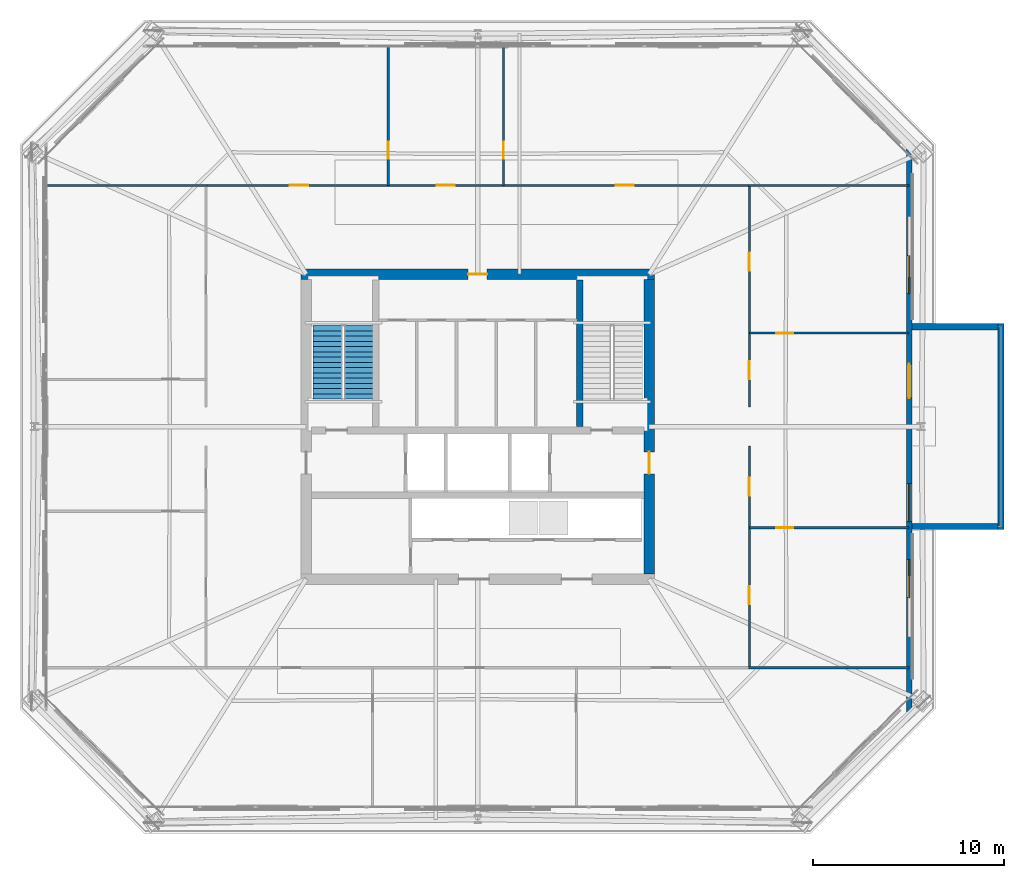
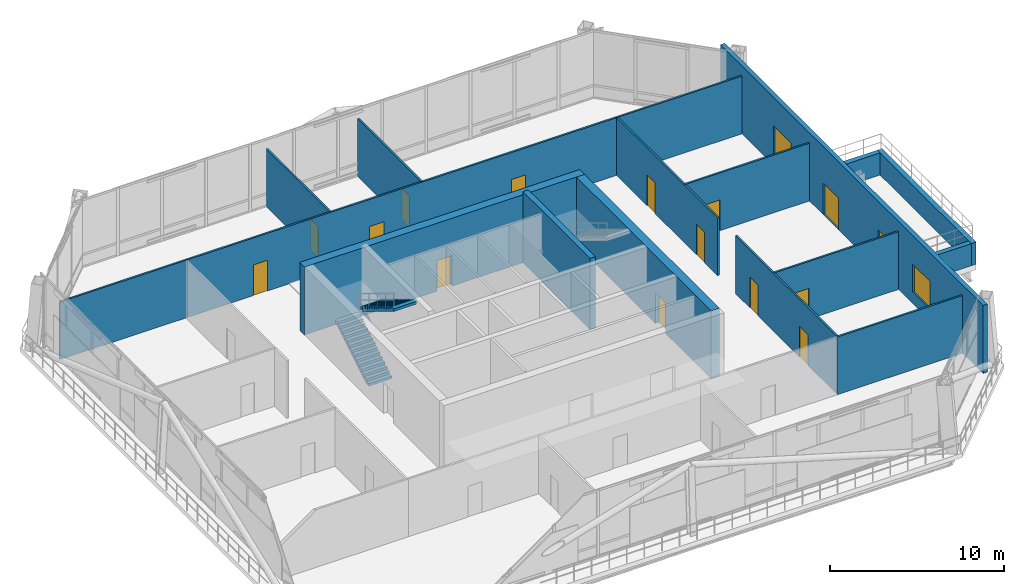
# One storey, part 29 of 34: 17 walls, 14 doors, 3 windows, 2 stair flights, 17 openings, 1 element without a shape of its own.
"""IFC4 building model written with IfcOpenShell, lengths in metres."""

from ifc_helpers import new_model, si_unit, direction, frame, frame_2d, origin, place, context, subcontext, project, spatial, polyline, rectangle, outline, extrude, material, layer, layer_set, type_object, element, fill, aggregate, save


model = new_model("IFC4")

# Units and contexts
model_context = context("Model", 3, precision=1e-05, world=origin(), true_north=direction((0.0, 1.0)))
body_context = subcontext(model_context, "Body", "Model", "MODEL_VIEW")
ifc_project = project(units=[si_unit("LENGTHUNIT", "METRE"), si_unit("AREAUNIT", "SQUARE_METRE"), si_unit("VOLUMEUNIT", "CUBIC_METRE"), si_unit("PLANEANGLEUNIT", "RADIAN"), si_unit("MASSUNIT", "GRAM", prefix="KILO")], contexts=[model_context])

# Site, building, storey
site_placement = place(None, origin())
site = spatial("IfcSite", under=ifc_project, at=site_placement, CompositionType="ELEMENT")
building_placement = place(site_placement, origin())
building = spatial("IfcBuilding", under=site, at=building_placement, Name="Caelvoria Tower", CompositionType="ELEMENT")
storey_placement = place(building_placement, frame((0.0, 0.0, 172.0)))
storey = spatial("IfcBuildingStorey", under=building, at=storey_placement, Name="L45", CompositionType="ELEMENT", Elevation=172.0)

# Wall
ifc_material_1 = material(Name="Concrete C50/60", Category="concrete")
ifc_layer_1 = layer(ifc_material_1, 0.35009765625, Name="Concrete C50/60")
ifc_layer_set_1 = layer_set([ifc_layer_1], Name="Core Internal Shear Wall 350 - Concrete C50/60")
wall_type_1 = type_object("IfcWallType", Name="Core Internal Shear Wall 350", PredefinedType="SHEAR", material=ifc_layer_set_1)
wall_1_placement = place(storey_placement, frame((51.35009765625, 32.0, 0.0), z_axis=(0.0, 0.0, 1.0), x_axis=(0.0, 1.0, 0.0)))
element("IfcWall", 1, at=wall_1_placement, inside=storey, type_object=wall_type_1, Name="Interior Partition IW-L45-ST2W", PredefinedType="SHEAR", context=body_context, shape_type="SweptSolid", body=[
    extrude(rectangle(XDim=7.699951171875, YDim=0.35009765625, at=frame_2d((3.85009765625, 0.0))), origin(), (0.0, 0.0, 1.0), 5.0),
])

# Wall, openings, door, windows
ifc_material_2 = material(Name="Precast Concrete C40/50 with Bronze Cladding", Category="concrete")
ifc_layer_2 = layer(ifc_material_2, 0.280029296875, Name="Precast Concrete C40/50 with Bronze Cladding")
ifc_layer_set_2 = layer_set([ifc_layer_2], Name="Exterior Precast Concrete C40/50 Bronze-Clad Facade Wall 280 - Precast Concrete C40/50 with Bronze Cladding")
wall_type_2 = type_object("IfcWallType", Name="Exterior Precast Concrete C40/50 Bronze-Clad Facade Wall 280", PredefinedType="STANDARD", material=ifc_layer_set_2)
wall_2_placement = place(storey_placement, frame((68.639892578125, 16.93994140625, 0.0), z_axis=(0.0, 0.0, 1.0), x_axis=(0.0, 1.0, 0.0)))
wall_2 = element("IfcWall", 2, at=wall_2_placement, inside=storey, type_object=wall_type_2, Name="Exterior Facade Wall L45-E2", PredefinedType="STANDARD", context=body_context, shape_type="SweptSolid", body=[
    extrude(rectangle(XDim=30.1201171875, YDim=0.280029296875, at=frame_2d((15.06005859375, 0.0))), origin(), (0.0, 0.0, 1.0), 4.760009765625),
])
opening_1_placement = place(wall_2_placement, frame((16.56005859375, 0.0, 0.0)))
opening_1 = element("IfcOpeningElement", 3, at=opening_1_placement, cuts=wall_2, Name="Opening ED-05", PredefinedType="OPENING", context=body_context, shape_type="SweptSolid", body=[
    extrude(rectangle(XDim=1.800048828125, YDim=2.199951171875, at=frame_2d((0.89990234375, 1.10009765625))), frame((0.0, 0.14990234375, 0.0), z_axis=(0.0, -1.0, 0.0), x_axis=(1.0, 0.0, 0.0)), (0.0, 0.0, 1.0), 0.300048828125),
])
opening_2_placement = place(wall_2_placement, frame((6.0830078125, 0.0, 0.800048828125)))
opening_2 = element("IfcOpeningElement", 4, at=opening_2_placement, cuts=wall_2, Name="Opening WN-01", PredefinedType="OPENING", context=body_context, shape_type="SweptSolid", body=[
    extrude(rectangle(XDim=2.0, YDim=1.949951171875, at=frame_2d((1.0, 0.97509765625))), frame((0.0, 0.14990234375, 0.0), z_axis=(0.0, -1.0, 0.0), x_axis=(1.0, 0.0, 0.0)), (0.0, 0.0, 1.0), 0.300048828125),
])
opening_3_placement = place(wall_2_placement, frame((10.0712890625, 0.0, 0.800048828125)))
opening_3 = element("IfcOpeningElement", 5, at=opening_3_placement, cuts=wall_2, Name="Opening WN-01", PredefinedType="OPENING", context=body_context, shape_type="SweptSolid", body=[
    extrude(rectangle(XDim=2.0, YDim=1.949951171875, at=frame_2d((1.0, 0.97509765625))), frame((0.0, 0.14990234375, 0.0), z_axis=(0.0, -1.0, 0.0), x_axis=(1.0, 0.0, 0.0)), (0.0, 0.0, 1.0), 0.300048828125),
])
opening_4_placement = place(wall_2_placement, frame((22.037109375, 0.0, 0.800048828125)))
opening_4 = element("IfcOpeningElement", 6, at=opening_4_placement, cuts=wall_2, Name="Opening WN-01", PredefinedType="OPENING", context=body_context, shape_type="SweptSolid", body=[
    extrude(rectangle(XDim=2.0, YDim=1.949951171875, at=frame_2d((1.0, 0.97509765625))), frame((0.0, 0.14990234375, 0.0), z_axis=(0.0, -1.0, 0.0), x_axis=(1.0, 0.0, 0.0)), (0.0, 0.0, 1.0), 0.300048828125),
])
ifc_material_3 = material(Name="Anodised Bronze Aluminium and Laminated Glass", Category="aluminium")
door_type_1 = type_object("IfcDoorType", Name="Sky Pool Deck Double Glazed Door 1800x2200", OperationType="NOTDEFINED", PredefinedType="DOOR", material=ifc_material_3)
door_1_placement = place(opening_1_placement, origin())
door_1 = element("IfcDoor", 7, at=door_1_placement, inside=storey, type_object=door_type_1, Name="Sky Pool Deck Access Door", OperationType="DOUBLE_DOOR_SINGLE_SWING", OverallHeight=2.199951171875, OverallWidth=1.800048828125, PredefinedType="DOOR", context=body_context, shape_type="SweptSolid", body=[
    extrude(rectangle(XDim=1.800048828125, YDim=2.199951171875, at=frame_2d((0.89990234375, 1.10009765625))), frame((0.0, 0.02490234375, 0.0), z_axis=(0.0, -1.0, 0.0), x_axis=(1.0, 0.0, 0.0)), (0.0, 0.0, 1.0), 0.050048828125),
])
fill(opening_1, door_1)
ifc_material_4 = material(Name="Low-E Tinted Glass in Bronze Aluminium Frame", Category="aluminium")
window_type = type_object("IfcWindowType", Name="Tower Office Vision Window 2000x1950", PartitioningType="SINGLE_PANEL", PredefinedType="WINDOW", material=ifc_material_4)
window_1_placement = place(opening_2_placement, origin())
window_1 = element("IfcWindow", 8, at=window_1_placement, inside=storey, type_object=window_type, Name="Facade Window L45-E2-01", OverallHeight=1.949951171875, OverallWidth=2.0, PartitioningType="SINGLE_PANEL", PredefinedType="WINDOW", context=body_context, shape_type="SweptSolid", body=[
    extrude(rectangle(XDim=2.0, YDim=1.949951171875, at=frame_2d((1.0, 0.97509765625))), frame((0.0, 0.030029296875, 0.0), z_axis=(0.0, -1.0, 0.0), x_axis=(1.0, 0.0, 0.0)), (0.0, 0.0, 1.0), 0.06005859375),
])
fill(opening_2, window_1)
window_2_placement = place(opening_3_placement, origin())
window_2 = element("IfcWindow", 9, at=window_2_placement, inside=storey, type_object=window_type, Name="Facade Window L45-E2-02", OverallHeight=1.949951171875, OverallWidth=2.0, PartitioningType="SINGLE_PANEL", PredefinedType="WINDOW", context=body_context, shape_type="SweptSolid", body=[
    extrude(rectangle(XDim=2.0, YDim=1.949951171875, at=frame_2d((1.0, 0.97509765625))), frame((0.0, 0.030029296875, 0.0), z_axis=(0.0, -1.0, 0.0), x_axis=(1.0, 0.0, 0.0)), (0.0, 0.0, 1.0), 0.06005859375),
])
fill(opening_3, window_2)
window_3_placement = place(opening_4_placement, origin())
window_3 = element("IfcWindow", 10, at=window_3_placement, inside=storey, type_object=window_type, Name="Facade Window L45-E2-05", OverallHeight=1.949951171875, OverallWidth=2.0, PartitioningType="SINGLE_PANEL", PredefinedType="WINDOW", context=body_context, shape_type="SweptSolid", body=[
    extrude(rectangle(XDim=2.0, YDim=1.949951171875, at=frame_2d((1.0, 0.97509765625))), frame((0.0, 0.030029296875, 0.0), z_axis=(0.0, -1.0, 0.0), x_axis=(1.0, 0.0, 0.0)), (0.0, 0.0, 1.0), 0.06005859375),
])
fill(opening_4, window_3)

# Wall, opening, door
ifc_material_5 = material(Name="Concrete C55/67", Category="concrete")
ifc_layer_3 = layer(ifc_material_5, 0.550048828125, Name="Concrete C55/67")
ifc_layer_set_3 = layer_set([ifc_layer_3], Name="Mid Core Shear Wall 550 - Concrete C55/67")
wall_type_3 = type_object("IfcWallType", Name="Mid Core Shear Wall 550", PredefinedType="SHEAR", material=ifc_layer_set_3)
wall_3_placement = place(storey_placement, frame((36.72509765625, 40.0, 0.0), z_axis=(0.0, 0.0, 1.0), x_axis=(1.0, 0.0, 0.0)))
wall_3 = element("IfcWall", 11, at=wall_3_placement, inside=storey, type_object=wall_type_3, Name="Core Shear Wall L45 N", PredefinedType="SHEAR", context=body_context, shape_type="SweptSolid", body=[
    extrude(rectangle(XDim=18.5498046875, YDim=0.550048828125, at=frame_2d((9.27490234375, 0.0))), origin(), (0.0, 0.0, 1.0), 4.760009765625),
])
opening_5_placement = place(wall_3_placement, frame((8.77490234375, 0.0, 0.0)))
opening_5 = element("IfcOpeningElement", 12, at=opening_5_placement, cuts=wall_3, Name="Opening ID-03", PredefinedType="OPENING", context=body_context, shape_type="SweptSolid", body=[
    extrude(rectangle(XDim=1.0, YDim=2.14990234375, at=frame_2d((0.5, 1.074951171875))), frame((0.0, 0.284912109375, 0.0), z_axis=(0.0, -1.0, 0.0), x_axis=(1.0, 0.0, 0.0)), (0.0, 0.0, 1.0), 0.570068359375),
])
ifc_material_6 = material(Name="Painted Hollow Steel Fire Door", Category="steel")
door_type_2 = type_object("IfcDoorType", Name="Fire Door FD60S 1000x2150", OperationType="NOTDEFINED", PredefinedType="DOOR", material=ifc_material_6)
door_2_placement = place(opening_5_placement, origin())
door_2 = element("IfcDoor", 13, at=door_2_placement, inside=storey, type_object=door_type_2, Name="Core Door DR-L45-WC-MAIN", OperationType="SINGLE_SWING_RIGHT", OverallHeight=2.14990234375, OverallWidth=1.0, PredefinedType="DOOR", context=body_context, shape_type="SweptSolid", body=[
    extrude(rectangle(XDim=1.0, YDim=2.14990234375, at=frame_2d((0.5, 1.074951171875))), frame((0.0, 0.02490234375, 0.0), z_axis=(0.0, -1.0, 0.0), x_axis=(1.0, 0.0, 0.0)), (0.0, 0.0, 1.0), 0.050048828125),
])
fill(opening_5, door_2)

wall_4_placement = place(storey_placement, frame((55.0, 24.27490234375, 0.0), z_axis=(0.0, 0.0, 1.0), x_axis=(0.0, 1.0, 0.0)))
wall_4 = element("IfcWall", 14, at=wall_4_placement, inside=storey, type_object=wall_type_3, Name="Core Shear Wall L45 E", PredefinedType="SHEAR", context=body_context, shape_type="SweptSolid", body=[
    extrude(rectangle(XDim=15.4501953125, YDim=0.550048828125, at=frame_2d((7.72509765625, 0.0))), origin(), (0.0, 0.0, 1.0), 4.760009765625),
])
opening_6_placement = place(wall_4_placement, frame((5.25, 0.0, 0.0)))
opening_6 = element("IfcOpeningElement", 15, at=opening_6_placement, cuts=wall_4, Name="Opening ID-02", PredefinedType="OPENING", context=body_context, shape_type="SweptSolid", body=[
    extrude(rectangle(XDim=1.14990234375, YDim=2.14990234375, at=frame_2d((0.574951171875, 1.074951171875))), frame((0.0, 0.284912109375, 0.0), z_axis=(0.0, -1.0, 0.0), x_axis=(1.0, 0.0, 0.0)), (0.0, 0.0, 1.0), 0.570068359375),
])
door_type_3 = type_object("IfcDoorType", Name="Fire Door FD60S 1150x2150", OperationType="NOTDEFINED", PredefinedType="DOOR", material=ifc_material_6)
door_3_placement = place(opening_6_placement, origin())
door_3 = element("IfcDoor", 16, at=door_3_placement, inside=storey, type_object=door_type_3, Name="Core Door DR-L45-FFLE-OUT", OperationType="SINGLE_SWING_RIGHT", OverallHeight=2.14990234375, OverallWidth=1.14990234375, PredefinedType="DOOR", context=body_context, shape_type="SweptSolid", body=[
    extrude(rectangle(XDim=1.14990234375, YDim=2.14990234375, at=frame_2d((0.574951171875, 1.074951171875))), frame((0.0, 0.02490234375, 0.0), z_axis=(0.0, -1.0, 0.0), x_axis=(1.0, 0.0, 0.0)), (0.0, 0.0, 1.0), 0.050048828125),
])
fill(opening_6, door_3)

# Walls
ifc_layer_4 = layer(ifc_material_1, 0.320068359375, Name="Concrete C50/60")
ifc_layer_set_4 = layer_set([ifc_layer_4], Name="Sky Pool Structural Basin Wall 320 - Concrete C50/60")
wall_type_4 = type_object("IfcWallType", Name="Sky Pool Structural Basin Wall 320", PredefinedType="SHEAR", material=ifc_layer_set_4)
wall_5_placement = place(storey_placement, frame((73.4599609375, 26.60009765625, 0.0), z_axis=(0.0, 0.0, 1.0), x_axis=(0.0, 1.0, 0.0)))
element("IfcWall", 17, at=wall_5_placement, inside=storey, type_object=wall_type_4, Name="Sky Pool Basin Wall E", PredefinedType="SHEAR", context=body_context, shape_type="SweptSolid", body=[
    extrude(rectangle(XDim=10.7998046875, YDim=0.320068359375, at=frame_2d((5.39990234375, 0.0))), origin(), (0.0, 0.0, 1.0), 1.550048828125),
])
for number, where, z_axis, x_axis, name in (
    (18, (68.800048828125, 26.760009765625, 0.0), (0.0, 0.0, 1.0), (1.0, 0.0, 0.0), "Sky Pool Basin Wall S"),
    (19, (68.800048828125, 37.239990234375, 0.0), (0.0, 0.0, 1.0), (1.0, 0.0, 0.0), "Sky Pool Basin Wall N"),
):
    element("IfcWall", number, at=place(storey_placement, frame(where, z_axis=z_axis, x_axis=x_axis)), inside=storey, type_object=wall_type_4, Name=name, PredefinedType="SHEAR", context=body_context, shape_type="SweptSolid", body=[
        extrude(rectangle(XDim=4.5, YDim=0.320068359375, at=frame_2d((2.25, 0.0))), origin(), (0.0, 0.0, 1.0), 1.550048828125),
    ])

# Wall, opening, door
ifc_material_7 = material(Name="Acoustic Gypsum Board on Light-Gauge Stud", Category="gypsum")
ifc_layer_5 = layer(ifc_material_7, 0.1201171875, Name="Acoustic Gypsum Board on Light-Gauge Stud")
ifc_layer_set_5 = layer_set([ifc_layer_5], Name="Tenant Suite Acoustic Partition Wall 120 - Acoustic Gypsum Board on Light-Gauge Stud")
wall_type_5 = type_object("IfcWallType", Name="Tenant Suite Acoustic Partition Wall 120", PredefinedType="PARTITIONING", material=ifc_layer_set_5)
wall_6_placement = place(storey_placement, frame((41.3046875, 44.659912109375, 0.0), z_axis=(0.0, 0.0, 1.0), x_axis=(0.0, 1.0, 0.0)))
wall_6 = element("IfcWall", 20, at=wall_6_placement, inside=storey, type_object=wall_type_5, Name="Interior Partition IW-L45-ND-00-0", PredefinedType="PARTITIONING", context=body_context, shape_type="SweptSolid", body=[
    extrude(rectangle(XDim=7.300048828125, YDim=0.1201171875, at=frame_2d((3.64990234375, 0.0))), origin(), (0.0, 0.0, 1.0), 4.0400390625),
])
opening_7_placement = place(wall_6_placement, frame((1.39990234375, 0.0, 0.0)))
opening_7 = element("IfcOpeningElement", 21, at=opening_7_placement, cuts=wall_6, Name="Opening ID-06", PredefinedType="OPENING", context=body_context, shape_type="SweptSolid", body=[
    extrude(rectangle(XDim=0.89990234375, YDim=2.14990234375, at=frame_2d((0.449951171875, 1.074951171875))), frame((0.0, 0.070068359375, 0.0), z_axis=(0.0, -1.0, 0.0), x_axis=(1.0, 0.0, 0.0)), (0.0, 0.0, 1.0), 0.14013671875),
])
ifc_material_8 = material(Name="Engineered Andean Oak Veneer Door", Category="wood")
door_type_4 = type_object("IfcDoorType", Name="Interior Timber Door 900x2150", OperationType="NOTDEFINED", PredefinedType="DOOR", material=ifc_material_8)
door_4_placement = place(opening_7_placement, origin())
door_4 = element("IfcDoor", 22, at=door_4_placement, inside=storey, type_object=door_type_4, Name="Interior Door DR-L45-NM-00-0", OperationType="SINGLE_SWING_RIGHT", OverallHeight=2.14990234375, OverallWidth=0.89990234375, PredefinedType="DOOR", context=body_context, shape_type="SweptSolid", body=[
    extrude(rectangle(XDim=0.89990234375, YDim=2.14990234375, at=frame_2d((0.449951171875, 1.074951171875))), frame((0.0, 0.02490234375, 0.0), z_axis=(0.0, -1.0, 0.0), x_axis=(1.0, 0.0, 0.0)), (0.0, 0.0, 1.0), 0.050048828125),
])
fill(opening_7, door_4)

wall_7_placement = place(storey_placement, frame((47.3544921875, 44.659912109375, 0.0), z_axis=(0.0, 0.0, 1.0), x_axis=(0.0, 1.0, 0.0)))
wall_7 = element("IfcWall", 23, at=wall_7_placement, inside=storey, type_object=wall_type_5, Name="Interior Partition IW-L45-ND-01-0", PredefinedType="PARTITIONING", context=body_context, shape_type="SweptSolid", body=[
    extrude(rectangle(XDim=7.300048828125, YDim=0.1201171875, at=frame_2d((3.64990234375, 0.0))), origin(), (0.0, 0.0, 1.0), 4.0400390625),
])
opening_8_placement = place(wall_7_placement, frame((1.39990234375, 0.0, 0.0)))
opening_8 = element("IfcOpeningElement", 24, at=opening_8_placement, cuts=wall_7, Name="Opening ID-06", PredefinedType="OPENING", context=body_context, shape_type="SweptSolid", body=[
    extrude(rectangle(XDim=0.89990234375, YDim=2.14990234375, at=frame_2d((0.449951171875, 1.074951171875))), frame((0.0, 0.070068359375, 0.0), z_axis=(0.0, -1.0, 0.0), x_axis=(1.0, 0.0, 0.0)), (0.0, 0.0, 1.0), 0.14013671875),
])
door_5_placement = place(opening_8_placement, origin())
door_5 = element("IfcDoor", 25, at=door_5_placement, inside=storey, type_object=door_type_4, Name="Interior Door DR-L45-NM-01-0", OperationType="SINGLE_SWING_LEFT", OverallHeight=2.14990234375, OverallWidth=0.89990234375, PredefinedType="DOOR", context=body_context, shape_type="SweptSolid", body=[
    extrude(rectangle(XDim=0.89990234375, YDim=2.14990234375, at=frame_2d((0.449951171875, 1.074951171875))), frame((0.0, 0.02490234375, 0.0), z_axis=(0.0, -1.0, 0.0), x_axis=(1.0, 0.0, 0.0)), (0.0, 0.0, 1.0), 0.050048828125),
])
fill(opening_8, door_5)

# Wall, openings, doors
wall_8_placement = place(storey_placement, frame((31.800048828125, 44.659912109375, 0.0), z_axis=(0.0, 0.0, 1.0), x_axis=(1.0, 0.0, 0.0)))
wall_8 = element("IfcWall", 26, at=wall_8_placement, inside=storey, type_object=wall_type_5, Name="Interior Partition IW-L45-NCW-0", PredefinedType="PARTITIONING", context=body_context, shape_type="SweptSolid", body=[
    extrude(rectangle(XDim=28.39990234375, YDim=0.1201171875, at=frame_2d((14.199951171875, 0.0))), origin(), (0.0, 0.0, 1.0), 4.0400390625),
])
opening_9_placement = place(wall_8_placement, frame((4.347412109375, 0.0, 0.0)))
opening_9 = element("IfcOpeningElement", 27, at=opening_9_placement, cuts=wall_8, Name="Opening ID-05", PredefinedType="OPENING", context=body_context, shape_type="SweptSolid", body=[
    extrude(rectangle(XDim=0.949951171875, YDim=2.14990234375, at=frame_2d((0.47509765625, 1.074951171875))), frame((0.0, 0.070068359375, 0.0), z_axis=(0.0, -1.0, 0.0), x_axis=(1.0, 0.0, 0.0)), (0.0, 0.0, 1.0), 0.14013671875),
])
opening_10_placement = place(wall_8_placement, frame((12.0546875, 0.0, 0.0)))
opening_10 = element("IfcOpeningElement", 28, at=opening_10_placement, cuts=wall_8, Name="Opening ID-05", PredefinedType="OPENING", context=body_context, shape_type="SweptSolid", body=[
    extrude(rectangle(XDim=0.949951171875, YDim=2.14990234375, at=frame_2d((0.47509765625, 1.074951171875))), frame((0.0, 0.070068359375, 0.0), z_axis=(0.0, -1.0, 0.0), x_axis=(1.0, 0.0, 0.0)), (0.0, 0.0, 1.0), 0.14013671875),
])
opening_11_placement = place(wall_8_placement, frame((21.43212890625, 0.0, 0.0)))
opening_11 = element("IfcOpeningElement", 29, at=opening_11_placement, cuts=wall_8, Name="Opening ID-05", PredefinedType="OPENING", context=body_context, shape_type="SweptSolid", body=[
    extrude(rectangle(XDim=0.949951171875, YDim=2.14990234375, at=frame_2d((0.47509765625, 1.074951171875))), frame((0.0, 0.070068359375, 0.0), z_axis=(0.0, -1.0, 0.0), x_axis=(1.0, 0.0, 0.0)), (0.0, 0.0, 1.0), 0.14013671875),
])
door_type_5 = type_object("IfcDoorType", Name="Interior Timber Door 950x2150", OperationType="NOTDEFINED", PredefinedType="DOOR", material=ifc_material_8)
door_6_placement = place(opening_9_placement, origin())
door_6 = element("IfcDoor", 30, at=door_6_placement, inside=storey, type_object=door_type_5, Name="Interior Door DR-L45-NC-00-0", OperationType="SINGLE_SWING_RIGHT", OverallHeight=2.14990234375, OverallWidth=0.949951171875, PredefinedType="DOOR", context=body_context, shape_type="SweptSolid", body=[
    extrude(rectangle(XDim=0.949951171875, YDim=2.14990234375, at=frame_2d((0.47509765625, 1.074951171875))), frame((0.0, 0.02490234375, 0.0), z_axis=(0.0, -1.0, 0.0), x_axis=(1.0, 0.0, 0.0)), (0.0, 0.0, 1.0), 0.050048828125),
])
fill(opening_9, door_6)
door_7_placement = place(opening_10_placement, origin())
door_7 = element("IfcDoor", 31, at=door_7_placement, inside=storey, type_object=door_type_5, Name="Interior Door DR-L45-NC-01-0", OperationType="SINGLE_SWING_LEFT", OverallHeight=2.14990234375, OverallWidth=0.949951171875, PredefinedType="DOOR", context=body_context, shape_type="SweptSolid", body=[
    extrude(rectangle(XDim=0.949951171875, YDim=2.14990234375, at=frame_2d((0.47509765625, 1.074951171875))), frame((0.0, 0.02490234375, 0.0), z_axis=(0.0, -1.0, 0.0), x_axis=(1.0, 0.0, 0.0)), (0.0, 0.0, 1.0), 0.050048828125),
])
fill(opening_10, door_7)
door_8_placement = place(opening_11_placement, origin())
door_8 = element("IfcDoor", 32, at=door_8_placement, inside=storey, type_object=door_type_5, Name="Interior Door DR-L45-NC-02-0", OperationType="SINGLE_SWING_RIGHT", OverallHeight=2.14990234375, OverallWidth=0.949951171875, PredefinedType="DOOR", context=body_context, shape_type="SweptSolid", body=[
    extrude(rectangle(XDim=0.949951171875, YDim=2.14990234375, at=frame_2d((0.47509765625, 1.074951171875))), frame((0.0, 0.02490234375, 0.0), z_axis=(0.0, -1.0, 0.0), x_axis=(1.0, 0.0, 0.0)), (0.0, 0.0, 1.0), 0.050048828125),
])
fill(opening_11, door_8)

# Wall, opening, door
wall_9_placement = place(storey_placement, frame((60.260009765625, 26.699951171875, 0.0), z_axis=(0.0, 0.0, 1.0), x_axis=(1.0, 0.0, 0.0)))
wall_9 = element("IfcWall", 33, at=wall_9_placement, inside=storey, type_object=wall_type_5, Name="Interior Partition IW-L45-ED-00-0", PredefinedType="PARTITIONING", context=body_context, shape_type="SweptSolid", body=[
    extrude(rectangle(XDim=8.3798828125, YDim=0.1201171875, at=frame_2d((4.18994140625, 0.0))), origin(), (0.0, 0.0, 1.0), 4.0400390625),
])
opening_12_placement = place(wall_9_placement, frame((1.39990234375, 0.0, 0.0)))
opening_12 = element("IfcOpeningElement", 34, at=opening_12_placement, cuts=wall_9, Name="Opening ID-06", PredefinedType="OPENING", context=body_context, shape_type="SweptSolid", body=[
    extrude(rectangle(XDim=0.89990234375, YDim=2.14990234375, at=frame_2d((0.449951171875, 1.074951171875))), frame((0.0, 0.070068359375, 0.0), z_axis=(0.0, -1.0, 0.0), x_axis=(1.0, 0.0, 0.0)), (0.0, 0.0, 1.0), 0.14013671875),
])
door_9_placement = place(opening_12_placement, origin())
door_9 = element("IfcDoor", 35, at=door_9_placement, inside=storey, type_object=door_type_4, Name="Interior Door DR-L45-EM-00-0", OperationType="SINGLE_SWING_RIGHT", OverallHeight=2.14990234375, OverallWidth=0.89990234375, PredefinedType="DOOR", context=body_context, shape_type="SweptSolid", body=[
    extrude(rectangle(XDim=0.89990234375, YDim=2.14990234375, at=frame_2d((0.449951171875, 1.074951171875))), frame((0.0, 0.02490234375, 0.0), z_axis=(0.0, -1.0, 0.0), x_axis=(1.0, 0.0, 0.0)), (0.0, 0.0, 1.0), 0.050048828125),
])
fill(opening_12, door_9)

wall_10_placement = place(storey_placement, frame((60.260009765625, 36.911865234375, 0.0), z_axis=(0.0, 0.0, 1.0), x_axis=(1.0, 0.0, 0.0)))
wall_10 = element("IfcWall", 36, at=wall_10_placement, inside=storey, type_object=wall_type_5, Name="Interior Partition IW-L45-ED-01-0", PredefinedType="PARTITIONING", context=body_context, shape_type="SweptSolid", body=[
    extrude(rectangle(XDim=8.3798828125, YDim=0.1201171875, at=frame_2d((4.18994140625, 0.0))), origin(), (0.0, 0.0, 1.0), 4.0400390625),
])
opening_13_placement = place(wall_10_placement, frame((1.39990234375, 0.0, 0.0)))
opening_13 = element("IfcOpeningElement", 37, at=opening_13_placement, cuts=wall_10, Name="Opening ID-06", PredefinedType="OPENING", context=body_context, shape_type="SweptSolid", body=[
    extrude(rectangle(XDim=0.89990234375, YDim=2.14990234375, at=frame_2d((0.449951171875, 1.074951171875))), frame((0.0, 0.070068359375, 0.0), z_axis=(0.0, -1.0, 0.0), x_axis=(1.0, 0.0, 0.0)), (0.0, 0.0, 1.0), 0.14013671875),
])
door_10_placement = place(opening_13_placement, origin())
door_10 = element("IfcDoor", 38, at=door_10_placement, inside=storey, type_object=door_type_4, Name="Interior Door DR-L45-EM-01-0", OperationType="SINGLE_SWING_LEFT", OverallHeight=2.14990234375, OverallWidth=0.89990234375, PredefinedType="DOOR", context=body_context, shape_type="SweptSolid", body=[
    extrude(rectangle(XDim=0.89990234375, YDim=2.14990234375, at=frame_2d((0.449951171875, 1.074951171875))), frame((0.0, 0.02490234375, 0.0), z_axis=(0.0, -1.0, 0.0), x_axis=(1.0, 0.0, 0.0)), (0.0, 0.0, 1.0), 0.050048828125),
])
fill(opening_13, door_10)

# Wall, openings, doors
wall_11_placement = place(storey_placement, frame((60.260009765625, 19.39990234375, 0.0), z_axis=(0.0, 0.0, 1.0), x_axis=(0.0, 1.0, 0.0)))
wall_11 = element("IfcWall", 39, at=wall_11_placement, inside=storey, type_object=wall_type_5, Name="Interior Partition IW-L45-ECW-0", PredefinedType="PARTITIONING", context=body_context, shape_type="SweptSolid", body=[
    extrude(rectangle(XDim=11.580078125, YDim=0.1201171875, at=frame_2d((5.7900390625, 0.0))), origin(), (0.0, 0.0, 1.0), 4.0400390625),
])
opening_14_placement = place(wall_11_placement, frame((3.27490234375, 0.0, 0.0)))
opening_14 = element("IfcOpeningElement", 40, at=opening_14_placement, cuts=wall_11, Name="Opening ID-05", PredefinedType="OPENING", context=body_context, shape_type="SweptSolid", body=[
    extrude(rectangle(XDim=0.949951171875, YDim=2.14990234375, at=frame_2d((0.47509765625, 1.074951171875))), frame((0.0, 0.070068359375, 0.0), z_axis=(0.0, -1.0, 0.0), x_axis=(1.0, 0.0, 0.0)), (0.0, 0.0, 1.0), 0.14013671875),
])
opening_15_placement = place(wall_11_placement, frame((8.965087890625, 0.0, 0.0)))
opening_15 = element("IfcOpeningElement", 41, at=opening_15_placement, cuts=wall_11, Name="Opening ID-05", PredefinedType="OPENING", context=body_context, shape_type="SweptSolid", body=[
    extrude(rectangle(XDim=0.949951171875, YDim=2.14990234375, at=frame_2d((0.47509765625, 1.074951171875))), frame((0.0, 0.070068359375, 0.0), z_axis=(0.0, -1.0, 0.0), x_axis=(1.0, 0.0, 0.0)), (0.0, 0.0, 1.0), 0.14013671875),
])
door_11_placement = place(opening_14_placement, origin())
door_11 = element("IfcDoor", 42, at=door_11_placement, inside=storey, type_object=door_type_5, Name="Interior Door DR-L45-EC-00-0", OperationType="SINGLE_SWING_RIGHT", OverallHeight=2.14990234375, OverallWidth=0.949951171875, PredefinedType="DOOR", context=body_context, shape_type="SweptSolid", body=[
    extrude(rectangle(XDim=0.949951171875, YDim=2.14990234375, at=frame_2d((0.47509765625, 1.074951171875))), frame((0.0, 0.02490234375, 0.0), z_axis=(0.0, -1.0, 0.0), x_axis=(1.0, 0.0, 0.0)), (0.0, 0.0, 1.0), 0.050048828125),
])
fill(opening_14, door_11)
door_12_placement = place(opening_15_placement, origin())
door_12 = element("IfcDoor", 43, at=door_12_placement, inside=storey, type_object=door_type_5, Name="Interior Door DR-L45-EC-01-1", OperationType="SINGLE_SWING_RIGHT", OverallHeight=2.14990234375, OverallWidth=0.949951171875, PredefinedType="DOOR", context=body_context, shape_type="SweptSolid", body=[
    extrude(rectangle(XDim=0.949951171875, YDim=2.14990234375, at=frame_2d((0.47509765625, 1.074951171875))), frame((0.0, 0.02490234375, 0.0), z_axis=(0.0, -1.0, 0.0), x_axis=(1.0, 0.0, 0.0)), (0.0, 0.0, 1.0), 0.050048828125),
])
fill(opening_15, door_12)

wall_12_placement = place(storey_placement, frame((60.260009765625, 33.02001953125, 0.0), z_axis=(0.0, 0.0, 1.0), x_axis=(0.0, 1.0, 0.0)))
wall_12 = element("IfcWall", 44, at=wall_12_placement, inside=storey, type_object=wall_type_5, Name="Interior Partition IW-L45-ECW-1", PredefinedType="PARTITIONING", context=body_context, shape_type="SweptSolid", body=[
    extrude(rectangle(XDim=11.580078125, YDim=0.1201171875, at=frame_2d((5.7900390625, 0.0))), origin(), (0.0, 0.0, 1.0), 4.0400390625),
])
opening_16_placement = place(wall_12_placement, frame((1.470947265625, 0.0, 0.0)))
opening_16 = element("IfcOpeningElement", 45, at=opening_16_placement, cuts=wall_12, Name="Opening ID-05", PredefinedType="OPENING", context=body_context, shape_type="SweptSolid", body=[
    extrude(rectangle(XDim=0.949951171875, YDim=2.14990234375, at=frame_2d((0.47509765625, 1.074951171875))), frame((0.0, 0.070068359375, 0.0), z_axis=(0.0, -1.0, 0.0), x_axis=(1.0, 0.0, 0.0)), (0.0, 0.0, 1.0), 0.14013671875),
])
opening_17_placement = place(wall_12_placement, frame((7.160888671875, 0.0, 0.0)))
opening_17 = element("IfcOpeningElement", 46, at=opening_17_placement, cuts=wall_12, Name="Opening ID-05", PredefinedType="OPENING", context=body_context, shape_type="SweptSolid", body=[
    extrude(rectangle(XDim=0.949951171875, YDim=2.14990234375, at=frame_2d((0.47509765625, 1.074951171875))), frame((0.0, 0.070068359375, 0.0), z_axis=(0.0, -1.0, 0.0), x_axis=(1.0, 0.0, 0.0)), (0.0, 0.0, 1.0), 0.14013671875),
])
door_13_placement = place(opening_16_placement, origin())
door_13 = element("IfcDoor", 47, at=door_13_placement, inside=storey, type_object=door_type_5, Name="Interior Door DR-L45-EC-01-0", OperationType="SINGLE_SWING_LEFT", OverallHeight=2.14990234375, OverallWidth=0.949951171875, PredefinedType="DOOR", context=body_context, shape_type="SweptSolid", body=[
    extrude(rectangle(XDim=0.949951171875, YDim=2.14990234375, at=frame_2d((0.47509765625, 1.074951171875))), frame((0.0, 0.02490234375, 0.0), z_axis=(0.0, -1.0, 0.0), x_axis=(1.0, 0.0, 0.0)), (0.0, 0.0, 1.0), 0.050048828125),
])
fill(opening_16, door_13)
door_14_placement = place(opening_17_placement, origin())
door_14 = element("IfcDoor", 48, at=door_14_placement, inside=storey, type_object=door_type_5, Name="Interior Door DR-L45-EC-02-0", OperationType="SINGLE_SWING_RIGHT", OverallHeight=2.14990234375, OverallWidth=0.949951171875, PredefinedType="DOOR", context=body_context, shape_type="SweptSolid", body=[
    extrude(rectangle(XDim=0.949951171875, YDim=2.14990234375, at=frame_2d((0.47509765625, 1.074951171875))), frame((0.0, 0.02490234375, 0.0), z_axis=(0.0, -1.0, 0.0), x_axis=(1.0, 0.0, 0.0)), (0.0, 0.0, 1.0), 0.050048828125),
])
fill(opening_17, door_14)

# Walls
for number, where, z_axis, x_axis, name in (
    (49, (60.199951171875, 19.340087890625, 0.0), (0.0, 0.0, 1.0), (1.0, 0.0, 0.0), "Interior Partition IW-L45-BSE-0"),
    (50, (31.800048828125, 44.659912109375, 0.0), (0.0, 0.0, 1.0), (-1.0, 0.0, 0.0), "Interior Partition IW-L45-BNW-0"),
    (51, (60.199951171875, 44.659912109375, 0.0), (0.0, 0.0, 1.0), (1.0, 0.0, 0.0), "Interior Partition IW-L45-BNE-0"),
):
    element("IfcWall", number, at=place(storey_placement, frame(where, z_axis=z_axis, x_axis=x_axis)), inside=storey, type_object=wall_type_5, Name=name, PredefinedType="PARTITIONING", context=body_context, shape_type="SweptSolid", body=[
        extrude(rectangle(XDim=8.43994140625, YDim=0.1201171875, at=frame_2d((4.219970703125, 0.0))), origin(), (0.0, 0.0, 1.0), 4.0400390625),
    ])

# Stair, stair flights
ifc_material_9 = material(Name="Concrete C40/50", Category="concrete")
stair_type = type_object("IfcStairType", Name="Core Smokeproof Dogleg Stair Concrete C40/50", PredefinedType="HALF_TURN_STAIR", material=ifc_material_9)
stair_placement = place(storey_placement, origin())
stair = element("IfcStair", 52, at=stair_placement, inside=storey, type_object=stair_type, Name="ST-01 Smokeproof Exit Stair L45", PredefinedType="HALF_TURN_STAIR")
ifc_material_10 = material(Name="Precast Concrete C40/50", Category="concrete")
stair_flight_type = type_object("IfcStairFlightType", Name="Precast Concrete C40/50 Stair Flight 1480", PredefinedType="STRAIGHT", material=ifc_material_10)
stair_flight_1_placement = place(storey_placement, frame((38.1298828125, 33.449951171875, 0.0), z_axis=(0.0, 0.0, 1.0), x_axis=(0.0, 1.0, 0.0)))
stair_flight_1 = element("IfcStairFlight", 53, at=stair_flight_1_placement, type_object=stair_flight_type, Name="ST-01 flight 1", NumberOfRisers=15, NumberOfTreads=14, PredefinedType="STRAIGHT", RiserHeight=0.1667, TreadLength=0.275, context=body_context, shape_type="SweptSolid", body=[
    extrude(outline(polyline([(0.0, 0.0), (0.0, 0.166748046875), (0.27490234375, 0.166748046875), (0.27490234375, 0.33349609375), (0.550048828125, 0.33349609375), (0.550048828125, 0.5), (0.824951171875, 0.5), (0.824951171875, 0.666748046875), (1.10009765625, 0.666748046875), (1.10009765625, 0.83349609375), (1.375, 0.83349609375), (1.375, 1.000244140625), (1.64990234375, 1.000244140625), (1.64990234375, 1.1669921875), (1.925048828125, 1.1669921875), (1.925048828125, 1.33349609375), (2.199951171875, 1.33349609375), (2.199951171875, 1.500244140625), (2.47509765625, 1.500244140625), (2.47509765625, 1.6669921875), (2.75, 1.6669921875), (2.75, 1.833740234375), (3.02490234375, 1.833740234375), (3.02490234375, 2.00048828125), (3.300048828125, 2.00048828125), (3.300048828125, 2.1669921875), (3.574951171875, 2.1669921875), (3.574951171875, 2.333740234375), (3.85009765625, 2.333740234375), (3.85009765625, 2.50048828125), (3.85009765625, 2.146728515625), (0.30859375, 0.0), (0.0, 0.0)])), frame((0.0, 0.77001953125, 0.0), z_axis=(0.0, -1.0, 0.0), x_axis=(1.0, 0.0, 0.0)), (0.0, 0.0, 1.0), 1.5400390625),
])
stair_flight_2_placement = place(storey_placement, frame((39.77001953125, 37.300048828125, 2.5), z_axis=(0.0, 0.0, 1.0), x_axis=(0.0, -1.0, 0.0)))
stair_flight_2 = element("IfcStairFlight", 54, at=stair_flight_2_placement, type_object=stair_flight_type, Name="ST-01 flight 2", NumberOfRisers=15, NumberOfTreads=14, PredefinedType="STRAIGHT", RiserHeight=0.1667, TreadLength=0.275, context=body_context, shape_type="SweptSolid", body=[
    extrude(outline(polyline([(0.0, 0.0), (0.0, 0.166748046875), (0.27490234375, 0.166748046875), (0.27490234375, 0.33349609375), (0.550048828125, 0.33349609375), (0.550048828125, 0.5), (0.824951171875, 0.5), (0.824951171875, 0.666748046875), (1.10009765625, 0.666748046875), (1.10009765625, 0.83349609375), (1.375, 0.83349609375), (1.375, 1.000244140625), (1.64990234375, 1.000244140625), (1.64990234375, 1.1669921875), (1.925048828125, 1.1669921875), (1.925048828125, 1.33349609375), (2.199951171875, 1.33349609375), (2.199951171875, 1.500244140625), (2.47509765625, 1.500244140625), (2.47509765625, 1.6669921875), (2.75, 1.6669921875), (2.75, 1.833740234375), (3.02490234375, 1.833740234375), (3.02490234375, 2.00048828125), (3.300048828125, 2.00048828125), (3.300048828125, 2.1669921875), (3.574951171875, 2.1669921875), (3.574951171875, 2.333740234375), (3.85009765625, 2.333740234375), (3.85009765625, 2.50048828125), (3.85009765625, 2.146728515625), (0.30859375, 0.0), (0.0, 0.0)])), frame((0.0, 0.77001953125, 0.0), z_axis=(0.0, -1.0, 0.0), x_axis=(1.0, 0.0, 0.0)), (0.0, 0.0, 1.0), 1.5400390625),
])
aggregate(stair, [stair_flight_1, stair_flight_2])

save(model, "model.ifc")
